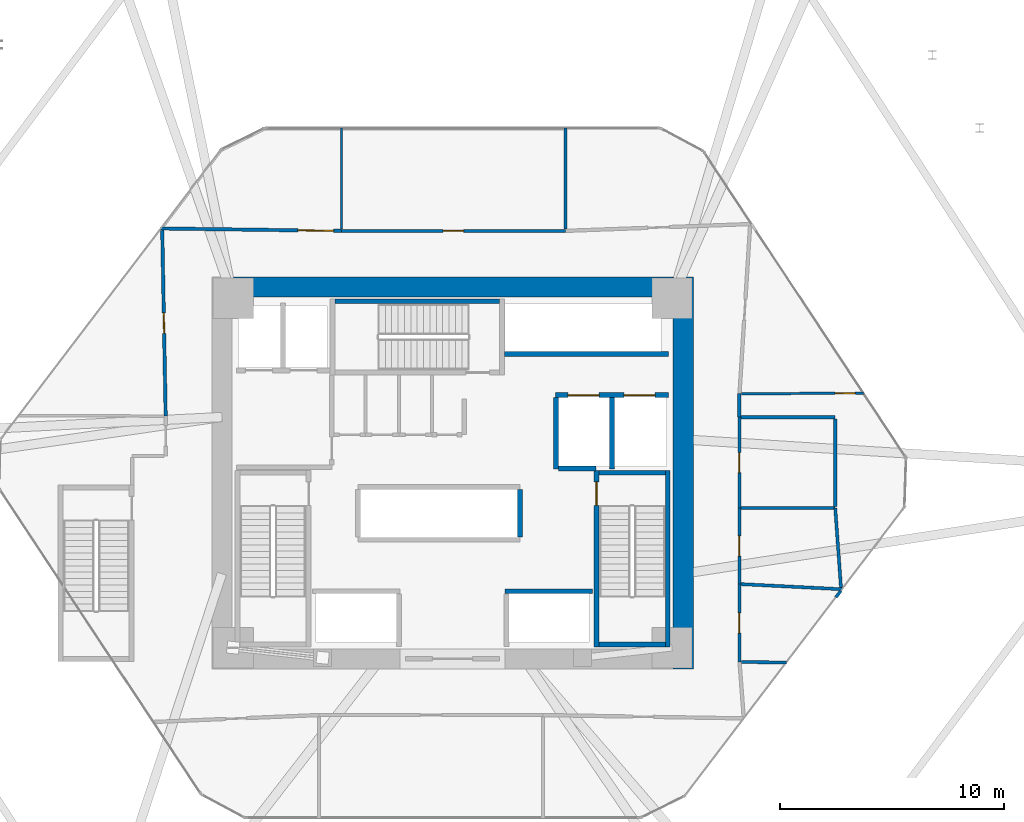
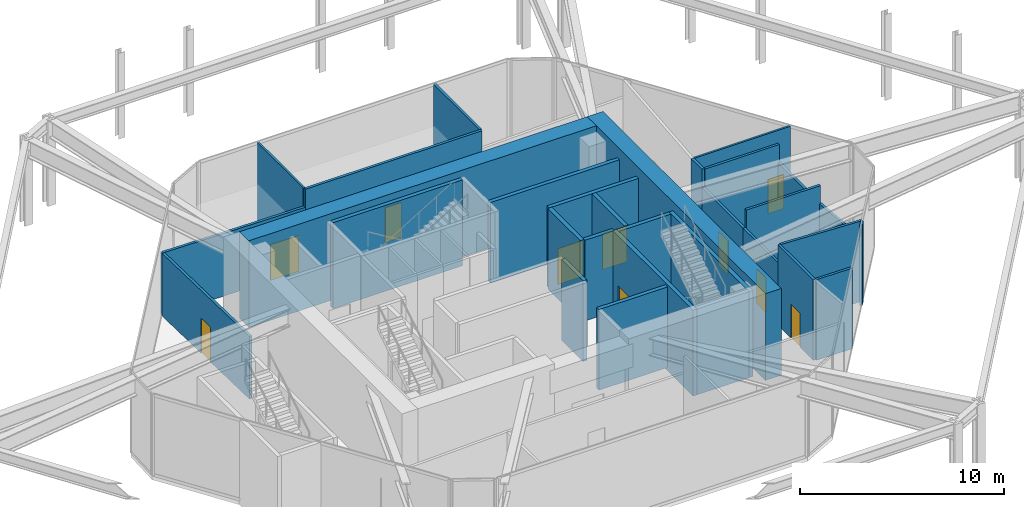
# One storey, part 14 of 16: 31 walls, 10 doors, 10 openings.
"""IFC4 building model written with IfcOpenShell, lengths in metres."""

import ifcopenshell
import ifcopenshell.guid

model = None  # the IFC model being written
_history = None  # IfcOwnerHistory: only IFC2X3 demands one
_inside = {}  # id of a spatial element -> (the spatial element, [elements in it])
_under = {}  # id of a project, library or spatial element -> (it, [spatial elements below it])
_declared = {}  # id of a project -> (the project, [libraries it declares])
_typed = {}  # id of a type object -> (the type object, [elements of that type])
_made_of = {}  # id of a material, layer set ... -> (it, [elements and type objects made of it])


def new_model(schema):
    """Start an empty IFC model of exactly this schema.

    Asked for "IFC4X3", IfcOpenShell would pick the latest addendum, in which some entities
    have other attributes; the version numbers below select the first issue.
    IFC2X3 requires an IfcOwnerHistory on every rooted entity: one is made here for all.
    """
    global model, _history
    if schema == "IFC4X3":
        model = ifcopenshell.file(schema_version=(4, 3, 0, 0))
    else:
        model = ifcopenshell.file(schema=schema)
    _inside.clear()
    _under.clear()
    _declared.clear()
    _typed.clear()
    _made_of.clear()
    _history = None
    if model.schema == "IFC2X3":
        org = make("IfcOrganization", Name="unknown")
        user = make(
            "IfcPersonAndOrganization",
            ThePerson=make("IfcPerson", FamilyName="unknown"),
            TheOrganization=org,
        )
        app = make(
            "IfcApplication",
            ApplicationDeveloper=org,
            Version="unknown",
            ApplicationFullName="unknown",
            ApplicationIdentifier="unknown",
        )
        _history = make(
            "IfcOwnerHistory",
            OwningUser=user,
            OwningApplication=app,
            ChangeAction="ADDED",
            CreationDate=0,
        )
    return model


def make(cls, **values):
    """One entity of the class cls with the attributes given. An attribute that is None is left unset."""
    return model.create_entity(
        cls, **{name: value for name, value in values.items() if value is not None}
    )


def rooted(cls, **values):
    """An entity with a GlobalId (a new one), such as an element, a storey or a relation."""
    return make(cls, GlobalId=ifcopenshell.guid.new(), OwnerHistory=_history, **values)


def si_unit(unit_type, name, prefix=None):
    """IfcSIUnit, for example si_unit("LENGTHUNIT", "METRE", prefix="MILLI")."""
    return make("IfcSIUnit", UnitType=unit_type, Prefix=prefix, Name=name)


def assignment(units):
    """IfcUnitAssignment: the units of a project."""
    return None if units is None else make("IfcUnitAssignment", Units=units)


def point(xyz):
    """IfcCartesianPoint."""
    return None if xyz is None else make("IfcCartesianPoint", Coordinates=xyz)


def direction(xyz):
    """IfcDirection."""
    return None if xyz is None else make("IfcDirection", DirectionRatios=xyz)


def frame(location, z_axis=None, x_axis=None):
    """IfcAxis2Placement3D, a coordinate frame: its origin and axes. An axis left out is left unset."""
    return make(
        "IfcAxis2Placement3D",
        Location=point(location),
        Axis=direction(z_axis),
        RefDirection=direction(x_axis),
    )


def frame_2d(location, x_axis=None):
    """IfcAxis2Placement2D, a coordinate frame in the plane: its origin and x axis."""
    return make(
        "IfcAxis2Placement2D", Location=point(location), RefDirection=direction(x_axis)
    )


def origin():
    """The frame at (0, 0, 0) with its axes left unset."""
    return frame((0.0, 0.0, 0.0))


def place(relative_to, where):
    """IfcLocalPlacement: puts the frame where relative to a parent placement (None: the world)."""
    return make(
        "IfcLocalPlacement", PlacementRelTo=relative_to, RelativePlacement=where
    )


def context(
    kind, dimensions, precision=None, world=None, true_north=None, identifier=None
):
    """IfcGeometricRepresentationContext, for example the 3D "Model" context."""
    return make(
        "IfcGeometricRepresentationContext",
        ContextIdentifier=identifier,
        ContextType=kind,
        CoordinateSpaceDimension=dimensions,
        Precision=precision,
        WorldCoordinateSystem=world,
        TrueNorth=true_north,
    )


def subcontext(parent, identifier, kind, view, scale=None):
    """IfcGeometricRepresentationSubContext, for example "Body" below "Model"."""
    return make(
        "IfcGeometricRepresentationSubContext",
        ContextIdentifier=identifier,
        ContextType=kind,
        ParentContext=parent,
        TargetScale=scale,
        TargetView=view,
    )


def project(units=None, contexts=None):
    """IfcProject with its units and contexts."""
    return rooted(
        "IfcProject",
        Name="project",
        RepresentationContexts=contexts,
        UnitsInContext=assignment(units),
    )


def spatial(cls, under=None, at=None, **own):
    """A site, building, storey or space (cls), placed at a placement, below another one or the project."""
    s = rooted(cls, ObjectPlacement=at, **own)
    if under is not None:
        _under.setdefault(under.id(), (under, []))[1].append(s)
    return s


def profile(cls, at=None, kind="AREA", **sizes):
    """A parametric profile (cls). Its sizes go by their IFC names, for example OverallWidth=200.0."""
    return make(cls, ProfileType=kind, Position=at, **sizes)


def rectangle(**sizes):
    """IfcRectangleProfileDef."""
    return profile("IfcRectangleProfileDef", **sizes)


def extrude(swept, where, along, depth):
    """IfcExtrudedAreaSolid: the profile swept, set in the frame where, extruded along a direction by depth."""
    return make(
        "IfcExtrudedAreaSolid",
        SweptArea=swept,
        Position=where,
        ExtrudedDirection=direction(along),
        Depth=depth,
    )


def shape(context_of_items, identifier, shape_type, items):
    """IfcShapeRepresentation: the items that make up one representation, for example the "Body"."""
    return make(
        "IfcShapeRepresentation",
        ContextOfItems=context_of_items,
        RepresentationIdentifier=identifier,
        RepresentationType=shape_type,
        Items=items,
    )


def source(mapping_origin, context_of_items, identifier, shape_type, items):
    """IfcRepresentationMap: a shape defined once, which mapped items show again and again."""
    return make(
        "IfcRepresentationMap",
        MappingOrigin=mapping_origin,
        MappedRepresentation=shape(context_of_items, identifier, shape_type, items),
    )


def transform(
    local_origin,
    x_axis=None,
    y_axis=None,
    z_axis=None,
    scale=None,
    scale2=None,
    scale3=None,
    uniform=True,
):
    """IfcCartesianTransformationOperator3D, or its non-uniform kind. x_axis, y_axis, z_axis: its Axis1, 2, 3."""
    if uniform:
        return make(
            "IfcCartesianTransformationOperator3D",
            Axis1=direction(x_axis),
            Axis2=direction(y_axis),
            LocalOrigin=point(local_origin),
            Scale=scale,
            Axis3=direction(z_axis),
        )
    return make(
        "IfcCartesianTransformationOperator3DnonUniform",
        Axis1=direction(x_axis),
        Axis2=direction(y_axis),
        LocalOrigin=point(local_origin),
        Scale=scale,
        Axis3=direction(z_axis),
        Scale2=scale2,
        Scale3=scale3,
    )


def mapped(mapping_source, mapping_target):
    """IfcMappedItem: shows the shape of a source again, moved by a transform."""
    return make(
        "IfcMappedItem", MappingSource=mapping_source, MappingTarget=mapping_target
    )


def material(Name=None, Category=None):
    """IfcMaterial."""
    return make("IfcMaterial", Name=Name, Category=Category)


def layer(
    of_material, thickness, ventilated=None, Name=None, Category=None, Priority=None
):
    """IfcMaterialLayer: one layer of a wall or slab, of a material (None: an air gap)."""
    return make(
        "IfcMaterialLayer",
        Material=of_material,
        LayerThickness=thickness,
        IsVentilated=ventilated,
        Name=Name,
        Category=Category,
        Priority=Priority,
    )


def layer_set(layers, Name=None):
    """IfcMaterialLayerSet."""
    return make("IfcMaterialLayerSet", MaterialLayers=layers, LayerSetName=Name)


def made_of(thing, what):
    """Note that an element or type object is made of a material, layer set ...; save() writes the relation."""
    if what is not None:
        _made_of.setdefault(what.id(), (what, []))[1].append(thing)
    return thing


def type_object(cls, material=None, **own):
    """A type object (cls), such as IfcWallType, which elements share."""
    return made_of(rooted(cls, **own), material)


def type_shapes(of_type, sources):
    """Give a type object the sources (RepresentationMaps) that its elements show as mapped items."""
    of_type.RepresentationMaps = sources


def element(
    cls,
    number,
    at=None,
    inside=None,
    cuts=None,
    type_object=None,
    material=None,
    context=None,
    identifier="Body",
    shape_type=None,
    held_by="IfcProductDefinitionShape",
    body=None,
    shapes=None,
    **own,
):
    """One element of the class cls, such as IfcWall. Its Tag is "e" and its number.

    at: its placement. inside: the storey or other place that contains it. cuts: it is an
    opening in that element (IfcRelVoidsElement). A single representation is given by context,
    identifier, shape_type and body (its items); several are given by shapes. held_by: the class
    of the entity that holds the representations. save() writes the other relations.
    """
    e = rooted(cls, Tag="e%d" % number, ObjectPlacement=at, **own)
    if body is not None:
        shapes = [shape(context, identifier, shape_type, body)]
    if shapes is not None:
        e.Representation = make(held_by, Representations=shapes)
    if inside is not None:
        _inside.setdefault(inside.id(), (inside, []))[1].append(e)
    if cuts is not None:
        rooted(
            "IfcRelVoidsElement", RelatingBuildingElement=cuts, RelatedOpeningElement=e
        )
    if type_object is not None:
        _typed.setdefault(type_object.id(), (type_object, []))[1].append(e)
    return made_of(e, material)


def fill(opening, filler):
    """IfcRelFillsElement: the door or window that sits in an opening."""
    return rooted(
        "IfcRelFillsElement",
        RelatingOpeningElement=opening,
        RelatedBuildingElement=filler,
    )


def aggregate(whole, parts):
    """IfcRelAggregates: a whole, such as a stair, and the parts it consists of."""
    return rooted("IfcRelAggregates", RelatingObject=whole, RelatedObjects=parts)


def save(model, path):
    """Write the relations noted so far, then the file.

    IfcRelAggregates (storeys below a building ...), IfcRelContainedInSpatialStructure (elements
    in a storey), IfcRelDefinesByType, IfcRelAssociatesMaterial and IfcRelDeclares: one each for
    every whole, place, type object, material and project.
    """
    for whole, parts in _under.values():
        aggregate(whole, parts)
    for where, things in _inside.values():
        rooted(
            "IfcRelContainedInSpatialStructure",
            RelatedElements=things,
            RelatingStructure=where,
        )
    for kind, things in _typed.values():
        rooted("IfcRelDefinesByType", RelatedObjects=things, RelatingType=kind)
    for what, things in _made_of.values():
        rooted("IfcRelAssociatesMaterial", RelatedObjects=things, RelatingMaterial=what)
    for by, libraries in _declared.values():
        rooted("IfcRelDeclares", RelatingContext=by, RelatedDefinitions=libraries)
    model.write(path)


model = new_model("IFC4")

# Units and contexts
model_context = context("Model", 3, precision=1e-05, world=origin(), true_north=direction((0.0, 1.0)))
body_context = subcontext(model_context, "Body", "Model", "MODEL_VIEW")
ifc_project = project(units=[si_unit("LENGTHUNIT", "METRE"), si_unit("AREAUNIT", "SQUARE_METRE"), si_unit("VOLUMEUNIT", "CUBIC_METRE"), si_unit("PLANEANGLEUNIT", "RADIAN"), si_unit("MASSUNIT", "GRAM", prefix="KILO")], contexts=[model_context])

# Site, building, storey
site_placement = place(None, origin())
site = spatial("IfcSite", under=ifc_project, at=site_placement, CompositionType="ELEMENT")
building_placement = place(site_placement, origin())
building = spatial("IfcBuilding", under=site, at=building_placement, Name="Durnholm Broadcast Tower", CompositionType="ELEMENT")
storey_placement = place(building_placement, frame((0.0, 0.0, 5.199951171875)))
storey = spatial("IfcBuildingStorey", under=building, at=storey_placement, Name="L01", CompositionType="ELEMENT", Elevation=5.199951171875)

# Walls
ifc_material_1 = material(Name="Concrete C70/85", Category="concrete")
ifc_layer_1 = layer(ifc_material_1, 0.89990234375)
ifc_layer_set_1 = layer_set([ifc_layer_1], Name="Concrete C70/85")
wall_type_1 = type_object("IfcWallType", Name="WALL-CW-900", PredefinedType="SHEAR", material=ifc_layer_set_1)
wall_1_placement = place(storey_placement, frame((10.300048828125, -8.75, 0.0), z_axis=(0.0, 0.0, 1.0), x_axis=(0.0, 1.0, 0.0)))
element("IfcWall", 1, at=wall_1_placement, inside=storey, type_object=wall_type_1, Name="L01 central core shear wall CW-EAST", PredefinedType="SHEAR", context=body_context, shape_type="SweptSolid", body=[
    extrude(rectangle(XDim=17.5, YDim=0.89990234375, at=frame_2d((8.75, 0.0))), origin(), (0.0, 0.0, 1.0), 5.199951171875),
])
wall_2_placement = place(storey_placement, frame((-9.85009765625, 8.300048828125, 0.0), z_axis=(0.0, 0.0, 1.0), x_axis=(1.0, 0.0, 0.0)))
element("IfcWall", 2, at=wall_2_placement, inside=storey, type_object=wall_type_1, Name="L01 central core shear wall CW-N", PredefinedType="SHEAR", context=body_context, shape_type="SweptSolid", body=[
    extrude(rectangle(XDim=19.7001953125, YDim=0.89990234375, at=frame_2d((9.85009765625, 0.0))), origin(), (0.0, 0.0, 1.0), 5.199951171875),
])
ifc_material_2 = material(Name="Operable Acoustic Panel Partition", Category="aluminium")
ifc_layer_2 = layer(ifc_material_2, 0.110107421875)
ifc_layer_set_2 = layer_set([ifc_layer_2], Name="Operable Acoustic Panel Partition")
wall_type_2 = type_object("IfcWallType", Name="WALL-MOV-110", PredefinedType="MOVABLE", material=ifc_layer_set_2)
wall_3_placement = place(storey_placement, frame((-4.9599609375, 15.39990234375, 0.0), z_axis=(0.0, 0.0, 1.0), x_axis=(0.0, -1.0, 0.0)))
element("IfcWall", 3, at=wall_3_placement, inside=storey, type_object=wall_type_2, Name="L01 room dividing partition 8.9", PredefinedType="MOVABLE", context=body_context, shape_type="SweptSolid", body=[
    extrude(rectangle(XDim=4.510986328125, YDim=0.110107421875, at=frame_2d((2.25537109375, 0.0))), origin(), (0.0, 0.0, 1.0), 4.8349609375),
])

# Wall, opening, door
wall_4_placement = place(storey_placement, frame((12.894287109375, 3.540283203125, 0.0), z_axis=(0.0, 0.0, 1.0), x_axis=(0.999992066554, 0.003983318888, 0.0)))
wall_4 = element("IfcWall", 4, at=wall_4_placement, inside=storey, type_object=wall_type_2, Name="L01 room dividing partition 16.17", PredefinedType="MOVABLE", context=body_context, shape_type="SweptSolid", body=[
    extrude(rectangle(XDim=5.454833984375, YDim=0.110107421875, at=frame_2d((2.7275390625, 0.0))), origin(), (0.0, 0.0, 1.0), 4.8349609375),
])
opening_1_placement = place(wall_4_placement, frame((4.18994140625, 0.0, 0.0)))
opening_1 = element("IfcOpeningElement", 5, at=opening_1_placement, cuts=wall_4, Name="Opening DW-90L", PredefinedType="OPENING", context=body_context, shape_type="SweptSolid", body=[
    extrude(rectangle(XDim=0.89990234375, YDim=2.050048828125, at=frame_2d((0.449951171875, 1.02490234375))), frame((0.0, 0.06494140625, 0.0), z_axis=(0.0, -1.0, 0.0), x_axis=(1.0, 0.0, 0.0)), (0.0, 0.0, 1.0), 0.130126953125),
])
ifc_material_3 = material(Name="Laminate Restroom Door", Category="steel")
ifc_layer_3 = layer(ifc_material_3, 0.050048828125)
ifc_layer_set_3 = layer_set([ifc_layer_3], Name="Laminate Restroom Door")
door_type_1 = type_object("IfcDoorType", Name="DOOR-WC-900L", OperationType="NOTDEFINED", PredefinedType="DOOR", material=ifc_layer_set_3)
shared_shape_1 = source(origin(), body_context, "Body", "SweptSolid", [
    extrude(rectangle(XDim=0.89990234375, YDim=2.050048828125, at=frame_2d((0.449951171875, 1.02490234375))), frame((0.0, 0.02490234375, 0.0), z_axis=(0.0, -1.0, 0.0), x_axis=(1.0, 0.0, 0.0)), (0.0, 0.0, 1.0), 0.050048828125),
])
type_shapes(door_type_1, [shared_shape_1])
door_1_placement = place(opening_1_placement, origin())
door_1 = element("IfcDoor", 6, at=door_1_placement, inside=storey, type_object=door_type_1, Name="L01 Press Briefing Meeting Room connecting door", OperationType="SINGLE_SWING_LEFT", OverallHeight=2.050048828125, OverallWidth=0.89990234375, PredefinedType="DOOR", context=body_context, shape_type="MappedRepresentation", body=[
    mapped(shared_shape_1, transform((0.0, 0.0, 0.0), x_axis=(1.0, 0.0, 0.0), y_axis=(0.0, 1.0, 0.0), z_axis=(0.0, 0.0, 1.0), scale=1.0)),
])
fill(opening_1, door_1)

# Wall
ifc_material_4 = material(Name="Gypsum Metal Stud Partition", Category="concrete")
ifc_layer_4 = layer(ifc_material_4, 0.135009765625)
ifc_layer_set_4 = layer_set([ifc_layer_4], Name="Gypsum Metal Stud Partition")
wall_type_3 = type_object("IfcWallType", Name="WALL-PART-135", PredefinedType="PARTITIONING", material=ifc_layer_set_4)
wall_5_placement = place(storey_placement, frame((5.0400390625, 15.39990234375, 0.0), z_axis=(0.0, 0.0, 1.0), x_axis=(0.0, -1.0, 0.0)))
element("IfcWall", 7, at=wall_5_placement, inside=storey, type_object=wall_type_3, Name="L01 room dividing partition 9.10", PredefinedType="PARTITIONING", context=body_context, shape_type="SweptSolid", body=[
    extrude(rectangle(XDim=4.5078125, YDim=0.135009765625, at=frame_2d((2.25390625, 0.0))), origin(), (0.0, 0.0, 1.0), 4.8349609375),
])

# Wall, opening, door
ifc_material_5 = material(Name="Acoustic Gypsum Stud Partition", Category="concrete")
ifc_layer_5 = layer(ifc_material_5, 0.14990234375)
ifc_layer_set_5 = layer_set([ifc_layer_5], Name="Acoustic Gypsum Stud Partition")
wall_type_4 = type_object("IfcWallType", Name="WALL-PART-150", PredefinedType="PARTITIONING", material=ifc_layer_set_5)
wall_6_placement = place(storey_placement, frame((-4.9599609375, 10.81005859375, 0.0), z_axis=(0.0, 0.0, 1.0), x_axis=(-0.999906232337, 0.01369403281, 0.0)))
wall_6 = element("IfcWall", 8, at=wall_6_placement, inside=storey, type_object=wall_type_4, Name="L01 Mezzanine Broadcast Hall corridor partition", PredefinedType="PARTITIONING", context=body_context, shape_type="SweptSolid", body=[
    extrude(rectangle(XDim=8.076171875, YDim=0.14990234375, at=frame_2d((4.0380859375, 0.0))), origin(), (0.0, 0.0, 1.0), 3.757080078125),
])
opening_2_placement = place(wall_6_placement, frame((0.35009765625, 0.0, 0.0)))
opening_2 = element("IfcOpeningElement", 9, at=opening_2_placement, cuts=wall_6, Name="Opening DST-160", PredefinedType="OPENING", context=body_context, shape_type="SweptSolid", body=[
    extrude(rectangle(XDim=1.60009765625, YDim=2.14990234375, at=frame_2d((0.800048828125, 1.074951171875))), frame((0.0, 0.0849609375, 0.0), z_axis=(0.0, -1.0, 0.0), x_axis=(1.0, 0.0, 0.0)), (0.0, 0.0, 1.0), 0.169921875),
])
ifc_material_6 = material(Name="Acoustic Broadcast Studio Sound-Lock Door", Category="steel")
ifc_layer_6 = layer(ifc_material_6, 0.050048828125)
ifc_layer_set_6 = layer_set([ifc_layer_6], Name="Acoustic Broadcast Studio Sound-Lock Door")
door_type_2 = type_object("IfcDoorType", Name="DOOR-STU-1600", OperationType="DOUBLE_DOOR_SINGLE_SWING", PredefinedType="DOOR", material=ifc_layer_set_6)
shared_shape_2 = source(origin(), body_context, "Body", "SweptSolid", [
    extrude(rectangle(XDim=1.60009765625, YDim=2.14990234375, at=frame_2d((0.800048828125, 1.074951171875))), frame((0.0, 0.02490234375, 0.0), z_axis=(0.0, -1.0, 0.0), x_axis=(1.0, 0.0, 0.0)), (0.0, 0.0, 1.0), 0.050048828125),
])
type_shapes(door_type_2, [shared_shape_2])
door_2_placement = place(opening_2_placement, origin())
door_2 = element("IfcDoor", 10, at=door_2_placement, inside=storey, type_object=door_type_2, Name="L01 Mezzanine Broadcast Hall entrance door", OperationType="DOUBLE_DOOR_SINGLE_SWING", OverallHeight=2.14990234375, OverallWidth=1.60009765625, PredefinedType="DOOR", context=body_context, shape_type="MappedRepresentation", body=[
    mapped(shared_shape_2, transform((0.0, 0.0, 0.0), x_axis=(1.0, 0.0, 0.0), y_axis=(0.0, 1.0, 0.0), z_axis=(0.0, 0.0, 1.0), scale=1.0)),
])
fill(opening_2, door_2)

wall_7_placement = place(storey_placement, frame((5.0400390625, 10.81005859375, 0.0), z_axis=(0.0, 0.0, 1.0), x_axis=(-1.0, 0.0, 0.0)))
wall_7 = element("IfcWall", 11, at=wall_7_placement, inside=storey, type_object=wall_type_4, Name="L01 Master Control Viewing Lounge corridor partition", PredefinedType="PARTITIONING", context=body_context, shape_type="SweptSolid", body=[
    extrude(rectangle(XDim=10.0, YDim=0.14990234375, at=frame_2d((5.0, 0.0))), origin(), (0.0, 0.0, 1.0), 4.8349609375),
])
opening_3_placement = place(wall_7_placement, frame((4.5400390625, 0.0, 0.0)))
opening_3 = element("IfcOpeningElement", 12, at=opening_3_placement, cuts=wall_7, Name="Opening DR-92R", PredefinedType="OPENING", context=body_context, shape_type="SweptSolid", body=[
    extrude(rectangle(XDim=0.919921875, YDim=2.10009765625, at=frame_2d((0.4599609375, 1.050048828125))), frame((0.0, 0.0849609375, 0.0), z_axis=(0.0, -1.0, 0.0), x_axis=(1.0, 0.0, 0.0)), (0.0, 0.0, 1.0), 0.169921875),
])
ifc_material_7 = material(Name="Oak Veneer Office Door", Category="wood")
ifc_layer_7 = layer(ifc_material_7, 0.050048828125)
ifc_layer_set_7 = layer_set([ifc_layer_7], Name="Oak Veneer Office Door")
door_type_3 = type_object("IfcDoorType", Name="DOOR-RM-920R", OperationType="NOTDEFINED", PredefinedType="DOOR", material=ifc_layer_set_7)
shared_shape_3 = source(origin(), body_context, "Body", "SweptSolid", [
    extrude(rectangle(XDim=0.919921875, YDim=2.10009765625, at=frame_2d((0.4599609375, 1.050048828125))), frame((0.0, 0.02490234375, 0.0), z_axis=(0.0, -1.0, 0.0), x_axis=(1.0, 0.0, 0.0)), (0.0, 0.0, 1.0), 0.050048828125),
])
type_shapes(door_type_3, [shared_shape_3])
door_3_placement = place(opening_3_placement, origin())
door_3 = element("IfcDoor", 13, at=door_3_placement, inside=storey, type_object=door_type_3, Name="L01 Master Control Viewing Lounge entrance door", OperationType="SINGLE_SWING_RIGHT", OverallHeight=2.10009765625, OverallWidth=0.919921875, PredefinedType="DOOR", context=body_context, shape_type="MappedRepresentation", body=[
    mapped(shared_shape_3, transform((0.0, 0.0, 0.0), x_axis=(1.0, 0.0, 0.0), y_axis=(0.0, 1.0, 0.0), z_axis=(0.0, 0.0, 1.0), scale=1.0)),
])
fill(opening_3, door_3)

wall_8_placement = place(storey_placement, frame((-12.964599609375, 10.8408203125, 0.0), z_axis=(0.0, 0.0, 1.0), x_axis=(0.01843804156, -0.999830004863, 0.0)))
wall_8 = element("IfcWall", 14, at=wall_8_placement, inside=storey, type_object=wall_type_4, Name="L01 Master Control Viewing Lounge corridor partition", PredefinedType="PARTITIONING", context=body_context, shape_type="SweptSolid", body=[
    extrude(rectangle(XDim=8.30224609375, YDim=0.14990234375, at=frame_2d((4.151123046875, 0.0))), origin(), (0.0, 0.0, 1.0), 3.757080078125),
])
opening_4_placement = place(wall_8_placement, frame((3.691162109375, 0.0, 0.0)))
opening_4 = element("IfcOpeningElement", 15, at=opening_4_placement, cuts=wall_8, Name="Opening DR-92R", PredefinedType="OPENING", context=body_context, shape_type="SweptSolid", body=[
    extrude(rectangle(XDim=0.919921875, YDim=2.10009765625, at=frame_2d((0.4599609375, 1.050048828125))), frame((0.0, 0.0849609375, 0.0), z_axis=(0.0, -1.0, 0.0), x_axis=(1.0, 0.0, 0.0)), (0.0, 0.0, 1.0), 0.169921875),
])
door_4_placement = place(opening_4_placement, origin())
door_4 = element("IfcDoor", 16, at=door_4_placement, inside=storey, type_object=door_type_3, Name="L01 Master Control Viewing Lounge entrance door", OperationType="SINGLE_SWING_RIGHT", OverallHeight=2.10009765625, OverallWidth=0.919921875, PredefinedType="DOOR", context=body_context, shape_type="MappedRepresentation", body=[
    mapped(shared_shape_3, transform((0.0, 0.0, 0.0), x_axis=(1.0, 0.0, 0.0), y_axis=(0.0, 1.0, 0.0), z_axis=(0.0, 0.0, 1.0), scale=1.0)),
])
fill(opening_4, door_4)

# Wall
wall_9_placement = place(storey_placement, frame((12.81005859375, 2.489990234375, 0.0), z_axis=(0.0, 0.0, 1.0), x_axis=(0.0, 1.0, 0.0)))
element("IfcWall", 17, at=wall_9_placement, inside=storey, type_object=wall_type_4, Name="L01 Press Briefing Meeting Room corridor partition", PredefinedType="PARTITIONING", context=body_context, shape_type="SweptSolid", body=[
    extrude(rectangle(XDim=1.050048828125, YDim=0.14990234375, at=frame_2d((0.52490234375, 0.0))), origin(), (0.0, 0.0, 1.0), 4.8349609375),
])

# Wall, openings, doors
ifc_material_8 = material(Name="Concrete Blockwork C30/37", Category="masonry")
ifc_layer_8 = layer(ifc_material_8, 0.219970703125)
ifc_layer_set_8 = layer_set([ifc_layer_8], Name="Concrete Blockwork C30/37")
wall_type_5 = type_object("IfcWallType", Name="WALL-SHAFT-220", PredefinedType="SOLIDWALL", material=ifc_layer_set_8)
wall_10_placement = place(storey_placement, frame((4.60009765625, 3.47998046875, 0.0), z_axis=(0.0, 0.0, 1.0), x_axis=(1.0, 0.0, 0.0)))
wall_10 = element("IfcWall", 18, at=wall_10_placement, inside=storey, type_object=wall_type_5, Name="L01 freight service lifts north front wall", PredefinedType="SOLIDWALL", context=body_context, shape_type="SweptSolid", body=[
    extrude(rectangle(XDim=5.0498046875, YDim=0.219970703125, at=frame_2d((2.52490234375, 0.0))), origin(), (0.0, 0.0, 1.0), 4.8349609375),
])
opening_5_placement = place(wall_10_placement, frame((0.550048828125, 0.0, 0.0)))
opening_5 = element("IfcOpeningElement", 19, at=opening_5_placement, cuts=wall_10, Name="Opening LD-SVL-2", PredefinedType="OPENING", context=body_context, shape_type="SweptSolid", body=[
    extrude(rectangle(XDim=1.39990234375, YDim=2.14990234375, at=frame_2d((0.699951171875, 1.074951171875))), frame((0.0, 0.1201171875, 0.0), z_axis=(0.0, -1.0, 0.0), x_axis=(1.0, 0.0, 0.0)), (0.0, 0.0, 1.0), 0.239990234375),
])
opening_6_placement = place(wall_10_placement, frame((3.050048828125, 0.0, 0.0)))
opening_6 = element("IfcOpeningElement", 20, at=opening_6_placement, cuts=wall_10, Name="Opening LD-SVL-1", PredefinedType="OPENING", context=body_context, shape_type="SweptSolid", body=[
    extrude(rectangle(XDim=1.39990234375, YDim=2.14990234375, at=frame_2d((0.699951171875, 1.074951171875))), frame((0.0, 0.1201171875, 0.0), z_axis=(0.0, -1.0, 0.0), x_axis=(1.0, 0.0, 0.0)), (0.0, 0.0, 1.0), 0.239990234375),
])
ifc_material_9 = material(Name="Freight Elevator Bi-Parting Sliding Landing Door", Category="steel")
ifc_layer_9 = layer(ifc_material_9, 0.050048828125)
ifc_layer_set_9 = layer_set([ifc_layer_9], Name="Freight Elevator Bi-Parting Sliding Landing Door")
door_type_4 = type_object("IfcDoorType", Name="DOOR-LIFT-SVL", OperationType="DOUBLE_DOOR_SLIDING", PredefinedType="DOOR", material=ifc_layer_set_9)
shared_shape_4 = source(origin(), body_context, "Body", "SweptSolid", [
    extrude(rectangle(XDim=1.39990234375, YDim=2.14990234375, at=frame_2d((0.699951171875, 1.074951171875))), frame((0.0, 0.02490234375, 0.0), z_axis=(0.0, -1.0, 0.0), x_axis=(1.0, 0.0, 0.0)), (0.0, 0.0, 1.0), 0.050048828125),
])
type_shapes(door_type_4, [shared_shape_4])
door_5_placement = place(opening_5_placement, origin())
door_5 = element("IfcDoor", 21, at=door_5_placement, inside=storey, type_object=door_type_4, Name="L01 freight service elevator SVL-2 sliding landing door", OperationType="DOUBLE_DOOR_SLIDING", OverallHeight=2.14990234375, OverallWidth=1.39990234375, PredefinedType="DOOR", context=body_context, shape_type="MappedRepresentation", body=[
    mapped(shared_shape_4, transform((0.0, 0.0, 0.0), x_axis=(1.0, 0.0, 0.0), y_axis=(0.0, 1.0, 0.0), z_axis=(0.0, 0.0, 1.0), scale=1.0)),
])
fill(opening_5, door_5)
door_6_placement = place(opening_6_placement, origin())
door_6 = element("IfcDoor", 22, at=door_6_placement, inside=storey, type_object=door_type_4, Name="L01 freight service elevator SVL-1 sliding landing door", OperationType="DOUBLE_DOOR_SLIDING", OverallHeight=2.14990234375, OverallWidth=1.39990234375, PredefinedType="DOOR", context=body_context, shape_type="MappedRepresentation", body=[
    mapped(shared_shape_4, transform((0.0, 0.0, 0.0), x_axis=(1.0, 0.0, 0.0), y_axis=(0.0, 1.0, 0.0), z_axis=(0.0, 0.0, 1.0), scale=1.0)),
])
fill(opening_6, door_6)

# Walls
for number, where, z_axis, x_axis, name in (
    (23, (4.6201171875, 0.179931640625, 0.0), (0.0, 0.0, 1.0), (0.0, 1.0, 0.0), "L01 freight service lift SVL-2 west wall"),
    (24, (7.1201171875, 0.179931640625, 0.0), (0.0, 0.0, 1.0), (0.0, 1.0, 0.0), "L01 freight service lifts divider wall"),
):
    element("IfcWall", number, at=place(storey_placement, frame(where, z_axis=z_axis, x_axis=x_axis)), inside=storey, type_object=wall_type_5, Name=name, PredefinedType="SOLIDWALL", context=body_context, shape_type="SweptSolid", body=[
        extrude(rectangle(XDim=3.18603515625, YDim=0.219970703125, at=frame_2d((1.593017578125, 0.0))), origin(), (0.0, 0.0, 1.0), 4.8349609375),
    ])
wall_11_placement = place(storey_placement, frame((4.73388671875, 0.199951171875, 0.0), z_axis=(0.0, 0.0, 1.0), x_axis=(1.0, 0.0, 0.0)))
element("IfcWall", 25, at=wall_11_placement, inside=storey, type_object=wall_type_5, Name="L01 freight service lift SVL-2 south wall", PredefinedType="SOLIDWALL", context=body_context, shape_type="SweptSolid", body=[
    extrude(rectangle(XDim=1.666015625, YDim=0.219970703125, at=frame_2d((0.8330078125, 0.0))), origin(), (0.0, 0.0, 1.0), 4.8349609375),
])
wall_12_placement = place(storey_placement, frame((2.35009765625, -5.280029296875, 0.0), z_axis=(0.0, 0.0, 1.0), x_axis=(1.0, 0.0, 0.0)))
element("IfcWall", 26, at=wall_12_placement, inside=storey, type_object=wall_type_5, Name="L01 low-rise bank P1 east front wall", PredefinedType="SOLIDWALL", context=body_context, shape_type="SweptSolid", body=[
    extrude(rectangle(XDim=3.89990234375, YDim=0.219970703125, at=frame_2d((1.949951171875, 0.0))), origin(), (0.0, 0.0, 1.0), 4.8349609375),
])
wall_13_placement = place(storey_placement, frame((3.02001953125, -2.865966796875, 0.0), z_axis=(0.0, 0.0, 1.0), x_axis=(0.0, 1.0, 0.0)))
element("IfcWall", 27, at=wall_13_placement, inside=storey, type_object=wall_type_5, Name="L01 mid-rise bank P2 east shaft wall", PredefinedType="SOLIDWALL", context=body_context, shape_type="SweptSolid", body=[
    extrude(rectangle(XDim=2.132080078125, YDim=0.219970703125, at=frame_2d((1.06591796875, 0.0))), origin(), (0.0, 0.0, 1.0), 4.8349609375),
])
wall_14_placement = place(storey_placement, frame((2.324951171875, 5.320068359375, 0.0), z_axis=(0.0, 0.0, 1.0), x_axis=(1.0, 0.0, 0.0)))
element("IfcWall", 28, at=wall_14_placement, inside=storey, type_object=wall_type_5, Name="L01 high-rise bank P3 south front wall", PredefinedType="SOLIDWALL", context=body_context, shape_type="SweptSolid", body=[
    extrude(rectangle(XDim=7.324951171875, YDim=0.219970703125, at=frame_2d((3.66259765625, 0.0))), origin(), (0.0, 0.0, 1.0), 4.8349609375),
])
ifc_material_10 = material(Name="Concrete C50/60", Category="concrete")
ifc_layer_10 = layer(ifc_material_10, 0.219970703125)
ifc_layer_set_10 = layer_set([ifc_layer_10], Name="Concrete C50/60")
wall_type_6 = type_object("IfcWallType", Name="WALL-SW-220", PredefinedType="SHEAR", material=ifc_layer_set_10)
wall_15_placement = place(storey_placement, frame((9.610107421875, -7.77001953125, -0.300048828125), z_axis=(0.0, 0.0, 1.0), x_axis=(0.0, 1.0, 0.0)))
element("IfcWall", 29, at=wall_15_placement, inside=storey, type_object=wall_type_6, Name="L01 stair ST-2 structural shaft wall E", PredefinedType="SHEAR", context=body_context, shape_type="SweptSolid", body=[
    extrude(rectangle(XDim=7.89013671875, YDim=0.219970703125, at=frame_2d((3.945068359375, 0.0))), origin(), (0.0, 0.0, 1.0), 5.150146484375),
])

# Wall, opening, door
wall_16_placement = place(storey_placement, frame((6.429931640625, 0.1201171875, -0.300048828125), z_axis=(0.0, 0.0, 1.0), x_axis=(0.0, -1.0, 0.0)))
wall_16 = element("IfcWall", 30, at=wall_16_placement, inside=storey, type_object=wall_type_6, Name="L01 stair ST-2 structural shaft wall W", PredefinedType="SHEAR", context=body_context, shape_type="SweptSolid", body=[
    extrude(rectangle(XDim=7.89013671875, YDim=0.219970703125, at=frame_2d((3.945068359375, 0.0))), origin(), (0.0, 0.0, 1.0), 5.150146484375),
])
opening_7_placement = place(wall_16_placement, frame((0.52001953125, 0.0, 0.0)))
opening_7 = element("IfcOpeningElement", 31, at=opening_7_placement, cuts=wall_16, Name="Opening DS-90R", PredefinedType="OPENING", context=body_context, shape_type="SweptSolid", body=[
    extrude(rectangle(XDim=1.050048828125, YDim=2.14990234375, at=frame_2d((0.52490234375, 1.074951171875))), frame((0.0, 0.1201171875, 0.0), z_axis=(0.0, -1.0, 0.0), x_axis=(1.0, 0.0, 0.0)), (0.0, 0.0, 1.0), 0.239990234375),
])
ifc_material_11 = material(Name="Fire-Rated Steel Door", Category="steel")
ifc_layer_11 = layer(ifc_material_11, 0.050048828125)
ifc_layer_set_11 = layer_set([ifc_layer_11], Name="Fire-Rated Steel Door")
door_type_5 = type_object("IfcDoorType", Name="DOOR-ST-FD90-R", OperationType="NOTDEFINED", PredefinedType="DOOR", material=ifc_layer_set_11)
shared_shape_5 = source(origin(), body_context, "Body", "SweptSolid", [
    extrude(rectangle(XDim=1.050048828125, YDim=2.14990234375, at=frame_2d((0.52490234375, 1.074951171875))), frame((0.0, 0.02490234375, 0.0), z_axis=(0.0, -1.0, 0.0), x_axis=(1.0, 0.0, 0.0)), (0.0, 0.0, 1.0), 0.050048828125),
])
type_shapes(door_type_5, [shared_shape_5])
door_7_placement = place(opening_7_placement, origin())
door_7 = element("IfcDoor", 32, at=door_7_placement, inside=storey, type_object=door_type_5, Name="L01 exit stair ST-2 fire door", OperationType="SINGLE_SWING_RIGHT", OverallHeight=2.14990234375, OverallWidth=1.050048828125, PredefinedType="DOOR", context=body_context, shape_type="MappedRepresentation", body=[
    mapped(shared_shape_5, transform((0.0, 0.0, 0.0), x_axis=(1.0, 0.0, 0.0), y_axis=(0.0, 1.0, 0.0), z_axis=(0.0, 0.0, 1.0), scale=1.0)),
])
fill(opening_7, door_7)

# Walls
for number, where, z_axis, x_axis, name in (
    (33, (6.5400390625, -7.659912109375, -0.300048828125), (0.0, 0.0, 1.0), (1.0, 0.0, 0.0), "L01 stair ST-2 structural shaft wall S"),
    (34, (9.5, 0.010009765625, -0.300048828125), (0.0, 0.0, 1.0), (-1.0, 0.0, 0.0), "L01 stair ST-2 structural shaft wall N"),
):
    element("IfcWall", number, at=place(storey_placement, frame(where, z_axis=z_axis, x_axis=x_axis)), inside=storey, type_object=wall_type_6, Name=name, PredefinedType="SHEAR", context=body_context, shape_type="SweptSolid", body=[
        extrude(rectangle(XDim=2.9599609375, YDim=0.219970703125, at=frame_2d((1.47998046875, 0.0))), origin(), (0.0, 0.0, 1.0), 5.150146484375),
    ])
wall_17_placement = place(storey_placement, frame((2.10009765625, 7.669921875, -0.300048828125), z_axis=(0.0, 0.0, 1.0), x_axis=(-1.0, 0.0, 0.0)))
element("IfcWall", 35, at=wall_17_placement, inside=storey, type_object=wall_type_6, Name="L01 stair ST-3 structural shaft wall N", PredefinedType="SHEAR", context=body_context, shape_type="SweptSolid", body=[
    extrude(rectangle(XDim=7.35009765625, YDim=0.219970703125, at=frame_2d((3.675048828125, 0.0))), origin(), (0.0, 0.0, 1.0), 5.150146484375),
])

# Wall, opening, door
ifc_material_12 = material(Name="Moisture-Resistant Tile Partition", Category="concrete")
ifc_layer_12 = layer(ifc_material_12, 0.139892578125)
ifc_layer_set_12 = layer_set([ifc_layer_12], Name="Moisture-Resistant Tile Partition")
wall_type_7 = type_object("IfcWallType", Name="WALL-WC-140", PredefinedType="PARTITIONING", material=ifc_layer_set_12)
wall_18_placement = place(storey_placement, frame((12.81005859375, -8.43994140625, 0.0), z_axis=(0.0, 0.0, 1.0), x_axis=(0.0, 1.0, 0.0)))
wall_18 = element("IfcWall", 36, at=wall_18_placement, inside=storey, type_object=wall_type_7, Name="L01 Men's Restroom corridor partition", PredefinedType="PARTITIONING", context=body_context, shape_type="SweptSolid", body=[
    extrude(rectangle(XDim=3.47998046875, YDim=0.139892578125, at=frame_2d((1.739990234375, 0.0))), origin(), (0.0, 0.0, 1.0), 4.8349609375),
])
opening_8_placement = place(wall_18_placement, frame((1.2900390625, 0.0, 0.0)))
opening_8 = element("IfcOpeningElement", 37, at=opening_8_placement, cuts=wall_18, Name="Opening DW-90R", PredefinedType="OPENING", context=body_context, shape_type="SweptSolid", body=[
    extrude(rectangle(XDim=0.89990234375, YDim=2.050048828125, at=frame_2d((0.449951171875, 1.02490234375))), frame((0.0, 0.080078125, 0.0), z_axis=(0.0, -1.0, 0.0), x_axis=(1.0, 0.0, 0.0)), (0.0, 0.0, 1.0), 0.159912109375),
])
ifc_layer_13 = layer(ifc_material_3, 0.050048828125)
ifc_layer_set_13 = layer_set([ifc_layer_13], Name="Laminate Restroom Door")
door_type_6 = type_object("IfcDoorType", Name="DOOR-WC-900R", OperationType="NOTDEFINED", PredefinedType="DOOR", material=ifc_layer_set_13)
shared_shape_6 = source(origin(), body_context, "Body", "SweptSolid", [
    extrude(rectangle(XDim=0.89990234375, YDim=2.050048828125, at=frame_2d((0.449951171875, 1.02490234375))), frame((0.0, 0.02490234375, 0.0), z_axis=(0.0, -1.0, 0.0), x_axis=(1.0, 0.0, 0.0)), (0.0, 0.0, 1.0), 0.050048828125),
])
type_shapes(door_type_6, [shared_shape_6])
door_8_placement = place(opening_8_placement, origin())
door_8 = element("IfcDoor", 38, at=door_8_placement, inside=storey, type_object=door_type_6, Name="L01 Men's Restroom entrance door", OperationType="SINGLE_SWING_RIGHT", OverallHeight=2.050048828125, OverallWidth=0.89990234375, PredefinedType="DOOR", context=body_context, shape_type="MappedRepresentation", body=[
    mapped(shared_shape_6, transform((0.0, 0.0, 0.0), x_axis=(1.0, 0.0, 0.0), y_axis=(0.0, 1.0, 0.0), z_axis=(0.0, 0.0, 1.0), scale=1.0)),
])
fill(opening_8, door_8)

wall_19_placement = place(storey_placement, frame((12.81005859375, -4.9599609375, 0.0), z_axis=(0.0, 0.0, 1.0), x_axis=(0.0, 1.0, 0.0)))
wall_19 = element("IfcWall", 39, at=wall_19_placement, inside=storey, type_object=wall_type_7, Name="L01 Women's Restroom corridor partition", PredefinedType="PARTITIONING", context=body_context, shape_type="SweptSolid", body=[
    extrude(rectangle(XDim=3.39990234375, YDim=0.139892578125, at=frame_2d((1.699951171875, 0.0))), origin(), (0.0, 0.0, 1.0), 3.757080078125),
])
opening_9_placement = place(wall_19_placement, frame((1.25, 0.0, 0.0)))
opening_9 = element("IfcOpeningElement", 40, at=opening_9_placement, cuts=wall_19, Name="Opening DW-90L", PredefinedType="OPENING", context=body_context, shape_type="SweptSolid", body=[
    extrude(rectangle(XDim=0.89990234375, YDim=2.050048828125, at=frame_2d((0.449951171875, 1.02490234375))), frame((0.0, 0.080078125, 0.0), z_axis=(0.0, -1.0, 0.0), x_axis=(1.0, 0.0, 0.0)), (0.0, 0.0, 1.0), 0.159912109375),
])
door_9_placement = place(opening_9_placement, origin())
door_9 = element("IfcDoor", 41, at=door_9_placement, inside=storey, type_object=door_type_1, Name="L01 Women's Restroom entrance door", OperationType="SINGLE_SWING_LEFT", OverallHeight=2.050048828125, OverallWidth=0.89990234375, PredefinedType="DOOR", context=body_context, shape_type="MappedRepresentation", body=[
    mapped(shared_shape_1, transform((0.0, 0.0, 0.0), x_axis=(1.0, 0.0, 0.0), y_axis=(0.0, 1.0, 0.0), z_axis=(0.0, 0.0, 1.0), scale=1.0)),
])
fill(opening_9, door_9)

wall_20_placement = place(storey_placement, frame((12.81005859375, -1.56005859375, 0.0), z_axis=(0.0, 0.0, 1.0), x_axis=(0.0, 1.0, 0.0)))
wall_20 = element("IfcWall", 42, at=wall_20_placement, inside=storey, type_object=wall_type_7, Name="L01 Accessible Restroom corridor partition", PredefinedType="PARTITIONING", context=body_context, shape_type="SweptSolid", body=[
    extrude(rectangle(XDim=4.050048828125, YDim=0.139892578125, at=frame_2d((2.02490234375, 0.0))), origin(), (0.0, 0.0, 1.0), 3.757080078125),
])
opening_10_placement = place(wall_20_placement, frame((1.574951171875, 0.0, 0.0)))
opening_10 = element("IfcOpeningElement", 43, at=opening_10_placement, cuts=wall_20, Name="Opening DW-90R", PredefinedType="OPENING", context=body_context, shape_type="SweptSolid", body=[
    extrude(rectangle(XDim=0.89990234375, YDim=2.050048828125, at=frame_2d((0.449951171875, 1.02490234375))), frame((0.0, 0.080078125, 0.0), z_axis=(0.0, -1.0, 0.0), x_axis=(1.0, 0.0, 0.0)), (0.0, 0.0, 1.0), 0.159912109375),
])
door_10_placement = place(opening_10_placement, origin())
door_10 = element("IfcDoor", 44, at=door_10_placement, inside=storey, type_object=door_type_6, Name="L01 Accessible Restroom entrance door", OperationType="SINGLE_SWING_RIGHT", OverallHeight=2.050048828125, OverallWidth=0.89990234375, PredefinedType="DOOR", context=body_context, shape_type="MappedRepresentation", body=[
    mapped(shared_shape_6, transform((0.0, 0.0, 0.0), x_axis=(1.0, 0.0, 0.0), y_axis=(0.0, 1.0, 0.0), z_axis=(0.0, 0.0, 1.0), scale=1.0)),
])
fill(opening_10, door_10)

# Walls
wall_21_placement = place(storey_placement, frame((12.884033203125, -4.963623046875, 0.0), z_axis=(0.0, 0.0, 1.0), x_axis=(0.998724412401, -0.050493049755, 0.0)))
element("IfcWall", 45, at=wall_21_placement, inside=storey, type_object=wall_type_7, Name="L01 room dividing partition 5.6", PredefinedType="PARTITIONING", context=body_context, shape_type="SweptSolid", body=[
    extrude(rectangle(XDim=4.51611328125, YDim=0.139892578125, at=frame_2d((2.258056640625, 0.0))), origin(), (0.0, 0.0, 1.0), 4.8349609375),
])
wall_22_placement = place(storey_placement, frame((14.904296875, -8.464111328125, 0.0), z_axis=(0.0, 0.0, 1.0), x_axis=(-0.999933368486, 0.011543768381, 0.0)))
element("IfcWall", 46, at=wall_22_placement, inside=storey, type_object=wall_type_7, Name="L01 room dividing partition 5.13", PredefinedType="PARTITIONING", context=body_context, shape_type="SweptSolid", body=[
    extrude(rectangle(XDim=2.00927734375, YDim=0.139892578125, at=frame_2d((1.004638671875, 0.0))), origin(), (0.0, 0.0, 1.0), 4.8349609375),
])
wall_23_placement = place(storey_placement, frame((17.340087890625, -5.262939453125, 0.0), z_axis=(0.0, 0.0, 1.0), x_axis=(-0.605512507053, -0.795835789471, 0.0)))
element("IfcWall", 47, at=wall_23_placement, inside=storey, type_object=wall_type_7, Name="L01 room dividing partition 5.16", PredefinedType="PARTITIONING", context=body_context, shape_type="SweptSolid", body=[
    extrude(rectangle(XDim=0.3603515625, YDim=0.139892578125, at=frame_2d((0.18017578125, 0.0))), origin(), (0.0, 0.0, 1.0), 4.8349609375),
])
wall_24_placement = place(storey_placement, frame((12.884033203125, -1.56005859375, 0.0), z_axis=(0.0, 0.0, 1.0), x_axis=(1.0, 0.0, 0.0)))
element("IfcWall", 48, at=wall_24_placement, inside=storey, type_object=wall_type_7, Name="L01 room dividing partition 6.7", PredefinedType="PARTITIONING", context=body_context, shape_type="SweptSolid", body=[
    extrude(rectangle(XDim=4.2060546875, YDim=0.139892578125, at=frame_2d((2.10302734375, 0.0))), origin(), (0.0, 0.0, 1.0), 4.8349609375),
])
wall_25_placement = place(storey_placement, frame((17.090087890625, -1.56005859375, 0.0), z_axis=(0.0, 0.0, 1.0), x_axis=(0.071991819851, -0.997405222502, 0.0)))
element("IfcWall", 49, at=wall_25_placement, inside=storey, type_object=wall_type_7, Name="L01 room dividing partition 6.16", PredefinedType="PARTITIONING", context=body_context, shape_type="SweptSolid", body=[
    extrude(rectangle(XDim=3.564208984375, YDim=0.139892578125, at=frame_2d((1.7822265625, 0.0))), origin(), (0.0, 0.0, 1.0), 3.757080078125),
])
wall_26_placement = place(storey_placement, frame((12.888916015625, 2.489990234375, 0.0), z_axis=(0.0, 0.0, 1.0), x_axis=(1.0, 0.0, 0.0)))
element("IfcWall", 50, at=wall_26_placement, inside=storey, type_object=wall_type_7, Name="L01 room dividing partition 7.16", PredefinedType="PARTITIONING", context=body_context, shape_type="SweptSolid", body=[
    extrude(rectangle(XDim=4.201171875, YDim=0.139892578125, at=frame_2d((2.1005859375, 0.0))), origin(), (0.0, 0.0, 1.0), 4.8349609375),
])
wall_27_placement = place(storey_placement, frame((17.090087890625, 2.416015625, 0.0), z_axis=(0.0, 0.0, 1.0), x_axis=(0.0, -1.0, 0.0)))
element("IfcWall", 51, at=wall_27_placement, inside=storey, type_object=wall_type_7, Name="L01 room dividing partition 7.16", PredefinedType="PARTITIONING", context=body_context, shape_type="SweptSolid", body=[
    extrude(rectangle(XDim=3.902099609375, YDim=0.139892578125, at=frame_2d((1.951171875, 0.0))), origin(), (0.0, 0.0, 1.0), 3.757080078125),
])

save(model, "model.ifc")
